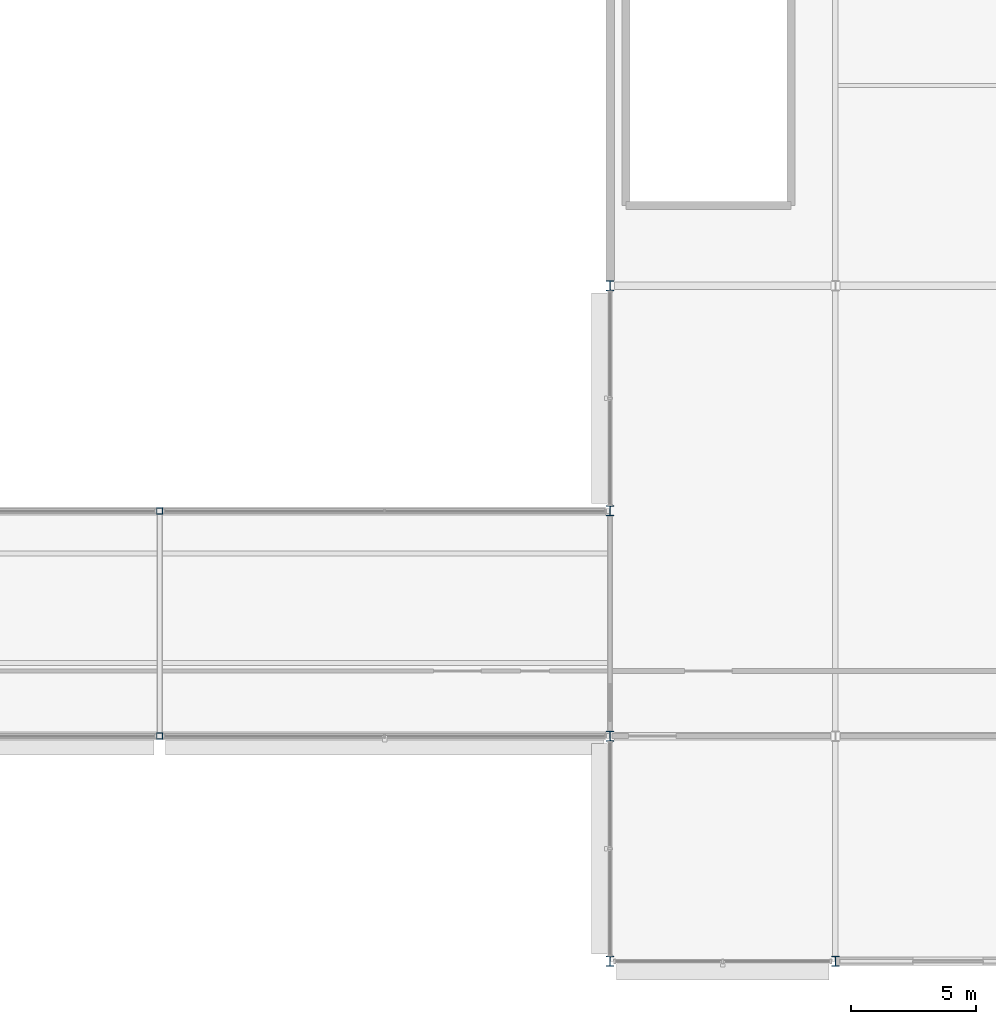
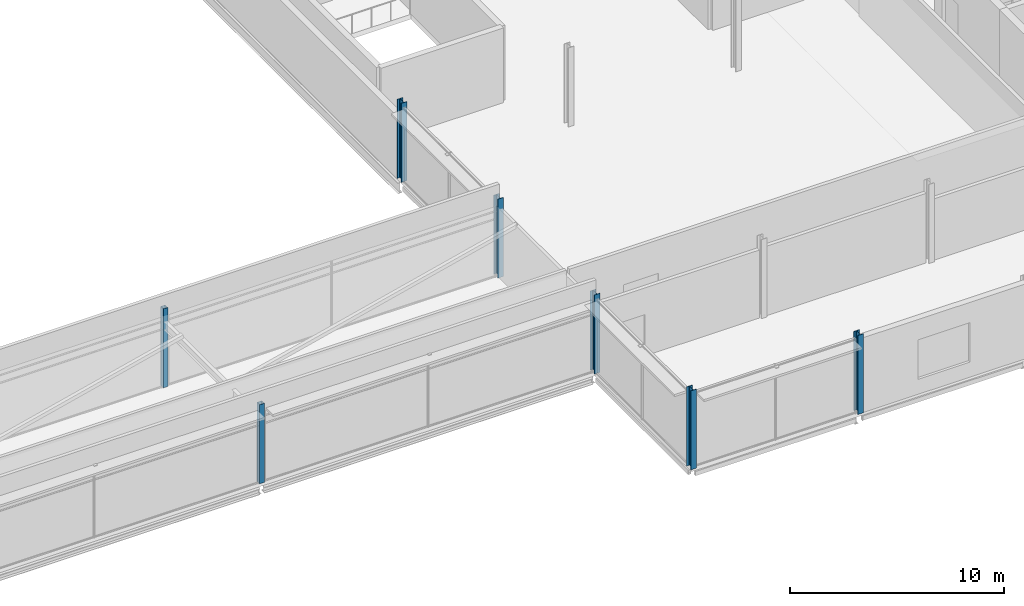
# One storey, part 7 of 73: 7 columns.
"""IFC4 building model written with IfcOpenShell, lengths in metres."""

from ifc_helpers import new_model, si_unit, direction, frame, origin, origin_2d, place, context, subcontext, project, spatial, hollow_rectangle, i_section, extrude, material, material_profile, profile_set, type_object, element, save


model = new_model("IFC4")

# Units and contexts
model_context = context("Model", 3, precision=1e-05, world=origin(), true_north=direction((0.0, 1.0)))
body_context = subcontext(model_context, "Body", "Model", "MODEL_VIEW")
ifc_project = project(units=[si_unit("LENGTHUNIT", "METRE"), si_unit("AREAUNIT", "SQUARE_METRE"), si_unit("VOLUMEUNIT", "CUBIC_METRE"), si_unit("PLANEANGLEUNIT", "RADIAN"), si_unit("MASSUNIT", "GRAM", prefix="KILO")], contexts=[model_context])

# Site, building, storey
site_placement = place(None, origin())
site = spatial("IfcSite", under=ifc_project, at=site_placement, CompositionType="ELEMENT")
building_placement = place(site_placement, origin())
building = spatial("IfcBuilding", under=site, at=building_placement, Name="Kisiwana Market Hall", CompositionType="ELEMENT")
storey_placement = place(building_placement, frame((0.0, 0.0, 33.300048828125)))
storey = spatial("IfcBuildingStorey", under=building, at=storey_placement, Name="L07", CompositionType="ELEMENT", Elevation=33.300048828125)

# Columns
ifc_material_1 = material(Name="Steel S355", Category="steel")
ifc_material_profile_1 = material_profile(ifc_material_1, i_section(OverallWidth=0.300048828125, OverallDepth=0.39990234375, WebThickness=0.013427734375, FlangeThickness=0.02392578125, FilletRadius=0.027099609375, at=origin_2d()), Name="HEB 400")
ifc_profile_set_1 = profile_set([ifc_material_profile_1], Name="Steel S355")
column_type_1 = type_object("IfcColumnType", Name="COL-STL-HEB400", PredefinedType="COLUMN", material=ifc_profile_set_1)
for number, where, z_axis, x_axis, name in (
    (1, (153.0, 9.0, 0.0), (0.0, 0.0, 1.0), (1.0, 0.0, 0.0), "Column B/18 (L07) C-1115"),
    (2, (153.0, 18.0, 0.0), (0.0, 0.0, 1.0), (1.0, 0.0, 0.0), "Column C/18 (L07) C-1116"),
    (3, (153.0, 27.0, 0.0), (0.0, 0.0, 1.0), (1.0, 0.0, 0.0), "Column D/18 (L07) C-1117"),
    (4, (153.0, 36.0, 0.0), (0.0, 0.0, 1.0), (1.0, 0.0, 0.0), "Column E/18 (L07) C-1118"),
    (5, (162.0, 9.0, 0.0), (0.0, 0.0, 1.0), (1.0, 0.0, 0.0), "Column B/19 (L07) C-1124"),
):
    element("IfcColumn", number, at=place(storey_placement, frame(where, z_axis=z_axis, x_axis=x_axis)), inside=storey, type_object=column_type_1, Name=name, PredefinedType="COLUMN", context=body_context, shape_type="SweptSolid", body=[
        extrude(i_section(OverallWidth=0.300048828125, OverallDepth=0.39990234375, WebThickness=0.013427734375, FlangeThickness=0.02392578125, FilletRadius=0.027099609375, at=origin_2d()), origin(), (0.0, 0.0, 1.0), 4.5),
    ])
ifc_material_2 = material(Name="Steel S355", Category="steel")
ifc_material_profile_2 = material_profile(ifc_material_2, hollow_rectangle(XDim=0.25, YDim=0.25, WallThickness=0.012451171875, at=origin_2d()), Name="SHS 250x250x12.5")
ifc_profile_set_2 = profile_set([ifc_material_profile_2], Name="Steel S355")
column_type_2 = type_object("IfcColumnType", Name="COL-STL-SHS250", PredefinedType="COLUMN", material=ifc_profile_set_2)
for number, where, z_axis, x_axis, name in (
    (6, (135.0, 18.0, 0.0), (0.0, 0.0, 1.0), (1.0, 0.0, 0.0), "Column C/16 (L07) C-1113"),
    (7, (135.0, 27.0, 0.0), (0.0, 0.0, 1.0), (1.0, 0.0, 0.0), "Column D/16 (L07) C-1114"),
):
    element("IfcColumn", number, at=place(storey_placement, frame(where, z_axis=z_axis, x_axis=x_axis)), inside=storey, type_object=column_type_2, Name=name, PredefinedType="COLUMN", context=body_context, shape_type="SweptSolid", body=[
        extrude(hollow_rectangle(XDim=0.25, YDim=0.25, WallThickness=0.012451171875, at=origin_2d()), origin(), (0.0, 0.0, 1.0), 4.5),
    ])

save(model, "model.ifc")
